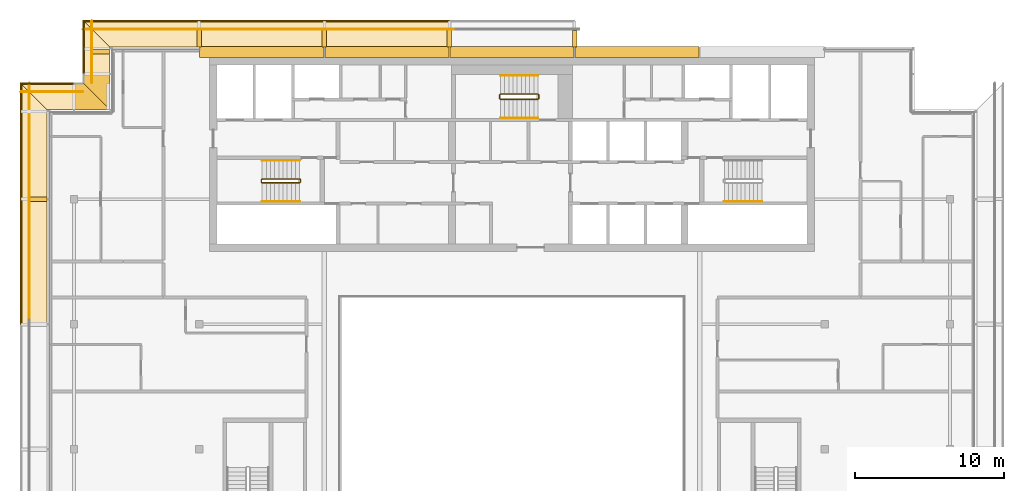
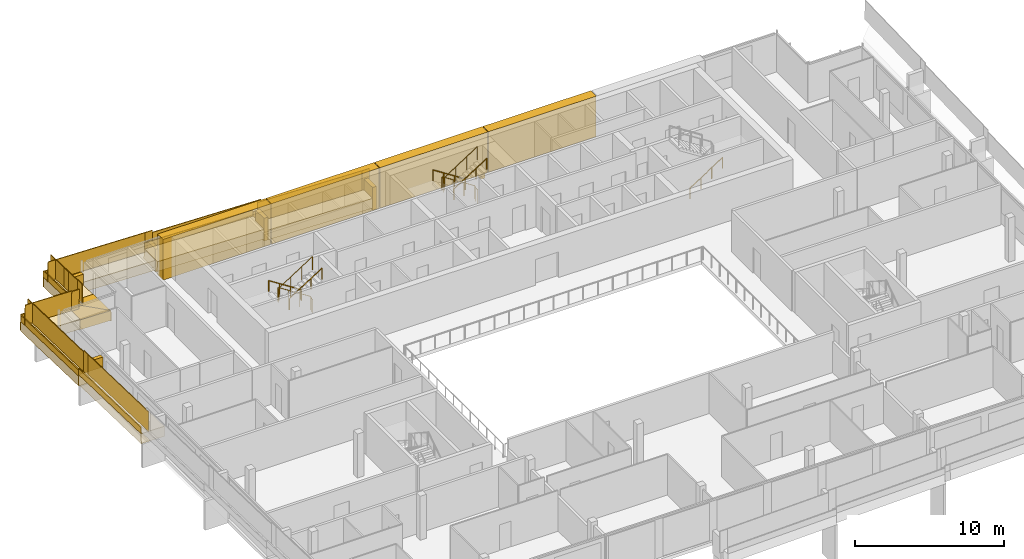
# One storey, part 24 of 26: 26 coverings, 21 railings.
"""IFC4 building model written with IfcOpenShell, lengths in metres."""

from ifc_helpers import new_model, si_unit, direction, frame, origin, origin_2d, place, context, subcontext, project, spatial, polyline, rectangle, circle, outline, extrude, material, layer, layer_set, type_object, element, save


model = new_model("IFC4")

# Units and contexts
model_context = context("Model", 3, precision=1e-05, world=origin(), true_north=direction((0.0, 1.0)))
body_context = subcontext(model_context, "Body", "Model", "MODEL_VIEW")
ifc_project = project(units=[si_unit("LENGTHUNIT", "METRE"), si_unit("AREAUNIT", "SQUARE_METRE"), si_unit("VOLUMEUNIT", "CUBIC_METRE"), si_unit("PLANEANGLEUNIT", "RADIAN"), si_unit("MASSUNIT", "GRAM", prefix="KILO")], contexts=[model_context])

# Site, building, storey
site_placement = place(None, origin())
site = spatial("IfcSite", under=ifc_project, at=site_placement, CompositionType="ELEMENT")
building_placement = place(site_placement, origin())
building = spatial("IfcBuilding", under=site, at=building_placement, Name="Saffron Gate Tower", CompositionType="ELEMENT")
storey_placement = place(building_placement, frame((0.0, 0.0, 277.949951171875)))
storey = spatial("IfcBuildingStorey", under=building, at=storey_placement, Name="L67", CompositionType="ELEMENT", Elevation=277.949951171875)

# Coverings
ifc_material_1 = material(Name="Ceramic-printed bronze insulated panel")
ifc_layer_1 = layer(ifc_material_1, 0.739990234375)
ifc_layer_set_1 = layer_set([ifc_layer_1], Name="CLD5 ceramic-printed cladding panel 740")
covering_type_1 = type_object("IfcCoveringType", Name="CLD5 ceramic-printed cladding panel 740", PredefinedType="CLADDING", material=ifc_layer_set_1)
covering_1_placement = place(storey_placement, origin())
element("IfcCovering", 1, at=covering_1_placement, inside=storey, type_object=covering_type_1, Name="CLADDING ceramic-printed panel", PredefinedType="CLADDING", context=body_context, shape_type="SweptSolid", body=[
    extrude(outline(polyline([(100.1650390625, 75.639892578125), (91.8349609375, 75.639892578125), (91.8349609375, 74.89990234375), (100.1650390625, 74.89990234375), (100.1650390625, 75.639892578125)])), origin(), (0.0, 0.0, 1.0), 3.320068359375),
])
covering_2_placement = place(storey_placement, origin())
element("IfcCovering", 2, at=covering_2_placement, inside=storey, type_object=covering_type_1, Name="CLADDING ceramic-printed panel", PredefinedType="CLADDING", context=body_context, shape_type="SweptSolid", body=[
    extrude(outline(polyline([(91.764892578125, 75.639892578125), (83.43505859375, 75.639892578125), (83.43505859375, 74.89990234375), (91.764892578125, 74.89990234375), (91.764892578125, 75.639892578125)])), origin(), (0.0, 0.0, 1.0), 3.320068359375),
])
covering_3_placement = place(storey_placement, origin())
element("IfcCovering", 3, at=covering_3_placement, inside=storey, type_object=covering_type_1, Name="CLADDING ceramic-printed panel", PredefinedType="CLADDING", context=body_context, shape_type="SweptSolid", body=[
    extrude(outline(polyline([(83.364990234375, 75.639892578125), (75.034912109375, 75.639892578125), (75.034912109375, 74.89990234375), (83.364990234375, 74.89990234375), (83.364990234375, 75.639892578125)])), origin(), (0.0, 0.0, 1.0), 3.320068359375),
])
covering_4_placement = place(storey_placement, origin())
element("IfcCovering", 4, at=covering_4_placement, inside=storey, type_object=covering_type_1, Name="CLADDING ceramic-printed panel", PredefinedType="CLADDING", context=body_context, shape_type="SweptSolid", body=[
    extrude(outline(polyline([(74.965087890625, 75.639892578125), (66.635009765625, 75.639892578125), (66.635009765625, 74.89990234375), (74.965087890625, 74.89990234375), (74.965087890625, 75.639892578125)])), origin(), (0.0, 0.0, 1.0), 3.320068359375),
])

# Railings
ifc_material_2 = material(Name="Stainless steel and laminated glass", Category="steel")
railing_type_1 = type_object("IfcRailingType", Name="CR1 Stair guard 1100", PredefinedType="GUARDRAIL", material=ifc_material_2)
railing_1_placement = place(storey_placement, frame((73.39990234375, 66.550048828125, 0.0)))
element("IfcRailing", 5, at=railing_1_placement, inside=storey, type_object=railing_type_1, Name="L67 ST-A stair guard 1", PredefinedType="GUARDRAIL", context=body_context, shape_type="SweptSolid", body=[
    extrude(circle(Radius=0.02392578125, at=origin_2d()), frame((0.0, 0.0, 1.076171875), z_axis=(0.0, 1.0, 0.0), x_axis=(-1.0, 0.0, 0.0)), (0.0, 0.0, 1.0), 0.14990234375),
    extrude(circle(Radius=0.02392578125, at=origin_2d()), frame((0.0, 0.14990234375, 1.076171875), z_axis=(-0.257669022063, 0.258932105505, 0.930892496375), x_axis=(-0.708833529934, -0.705375805398, 0.0)), (0.0, 0.0, 1.0), 0.193359375),
    extrude(circle(Radius=0.02392578125, at=origin_2d()), frame((-0.0498046875, 0.199951171875, 1.255859375), z_axis=(-0.841162588446, 0.0, 0.540782303519), x_axis=(0.0, -1.0, 0.0)), (0.0, 0.0, 1.0), 2.995849609375),
    extrude(circle(Radius=0.02392578125, at=origin_2d()), frame((-2.56982421875, 0.199951171875, 2.8759765625), z_axis=(-0.707106781187, -0.707106781187, 0.0), x_axis=(0.707106781187, -0.707106781187, 0.0)), (0.0, 0.0, 1.0), 0.07080078125),
    extrude(circle(Radius=0.02392578125, at=origin_2d()), frame((-2.619873046875, 0.14990234375, 2.8759765625), z_axis=(0.0, -1.0, 0.0), x_axis=(1.0, 0.0, 0.0)), (0.0, 0.0, 1.0), 0.14990234375),
    extrude(circle(Radius=0.02392578125, at=origin_2d()), frame((-2.619873046875, 0.0, 2.8759765625), z_axis=(0.258847668887, -0.258847668887, 0.930588936439), x_axis=(0.707106781187, 0.707106781187, 0.0)), (0.0, 0.0, 1.0), 0.193359375),
    extrude(circle(Radius=0.02392578125, at=origin_2d()), frame((-2.56982421875, -0.050048828125, 3.05615234375), z_axis=(0.841162588446, 0.0, 0.540782303519), x_axis=(0.0, 1.0, 0.0)), (0.0, 0.0, 1.0), 2.995849609375),
    extrude(circle(Radius=0.02099609375, at=origin_2d()), origin(), (0.0, 0.0, 1.0), 1.052001953125),
    extrude(circle(Radius=0.02099609375, at=origin_2d()), frame((0.0, 0.14990234375, 0.0)), (0.0, 0.0, 1.0), 1.052001953125),
    extrude(circle(Radius=0.02099609375, at=origin_2d()), frame((-0.0498046875, 0.199951171875, 0.179931640625)), (0.0, 0.0, 1.0), 1.052001953125),
    extrude(circle(Radius=0.02099609375, at=origin_2d()), frame((-0.889892578125, 0.199951171875, 0.719970703125)), (0.0, 0.0, 1.0), 1.052001953125),
    extrude(circle(Radius=0.02099609375, at=origin_2d()), frame((-1.729736328125, 0.199951171875, 1.260009765625)), (0.0, 0.0, 1.0), 1.052001953125),
    extrude(circle(Radius=0.02099609375, at=origin_2d()), frame((-2.56982421875, 0.199951171875, 1.800048828125)), (0.0, 0.0, 1.0), 1.052001953125),
    extrude(circle(Radius=0.02099609375, at=origin_2d()), frame((-2.619873046875, 0.14990234375, 1.800048828125)), (0.0, 0.0, 1.0), 1.052001953125),
    extrude(circle(Radius=0.02099609375, at=origin_2d()), frame((-2.619873046875, 0.0, 1.800048828125)), (0.0, 0.0, 1.0), 1.052001953125),
    extrude(circle(Radius=0.02099609375, at=origin_2d()), frame((-2.56982421875, -0.050048828125, 1.97998046875)), (0.0, 0.0, 1.0), 1.052001953125),
    extrude(circle(Radius=0.02099609375, at=origin_2d()), frame((-1.729736328125, -0.050048828125, 2.52001953125)), (0.0, 0.0, 1.0), 1.052001953125),
    extrude(circle(Radius=0.02099609375, at=origin_2d()), frame((-0.889892578125, -0.050048828125, 3.06005859375)), (0.0, 0.0, 1.0), 1.052001953125),
    extrude(circle(Radius=0.02099609375, at=origin_2d()), frame((-0.0498046875, -0.050048828125, 3.60009765625)), (0.0, 0.0, 1.0), 1.052001953125),
])
railing_2_placement = place(storey_placement, frame((89.39990234375, 72.14990234375, 0.0)))
element("IfcRailing", 6, at=railing_2_placement, inside=storey, type_object=railing_type_1, Name="L67 ST-C stair guard 1", PredefinedType="GUARDRAIL", context=body_context, shape_type="SweptSolid", body=[
    extrude(circle(Radius=0.02392578125, at=origin_2d()), frame((0.0, 0.0, 1.076171875), z_axis=(0.0, 1.0, 0.0), x_axis=(-1.0, 0.0, 0.0)), (0.0, 0.0, 1.0), 0.25),
    extrude(circle(Radius=0.02392578125, at=origin_2d()), frame((0.0, 0.25, 1.076171875), z_axis=(-0.257669022063, 0.258932105505, 0.930892496375), x_axis=(-0.708833529934, -0.705375805398, 0.0)), (0.0, 0.0, 1.0), 0.193359375),
    extrude(circle(Radius=0.02392578125, at=origin_2d()), frame((-0.0498046875, 0.300048828125, 1.255859375), z_axis=(-0.841162588446, 0.0, 0.540782303519), x_axis=(0.0, -1.0, 0.0)), (0.0, 0.0, 1.0), 2.995849609375),
    extrude(circle(Radius=0.02392578125, at=origin_2d()), frame((-2.56982421875, 0.300048828125, 2.8759765625), z_axis=(-0.707106781187, -0.707106781187, 0.0), x_axis=(0.707106781187, -0.707106781187, 0.0)), (0.0, 0.0, 1.0), 0.07080078125),
    extrude(circle(Radius=0.02392578125, at=origin_2d()), frame((-2.619873046875, 0.25, 2.8759765625), z_axis=(0.0, -1.0, 0.0), x_axis=(1.0, 0.0, 0.0)), (0.0, 0.0, 1.0), 0.25),
    extrude(circle(Radius=0.02392578125, at=origin_2d()), frame((-2.619873046875, 0.0, 2.8759765625), z_axis=(0.258932105505, -0.257669022063, 0.930892496375), x_axis=(0.705375805398, 0.708833529934, 0.0)), (0.0, 0.0, 1.0), 0.193359375),
    extrude(circle(Radius=0.02392578125, at=origin_2d()), frame((-2.56982421875, -0.0498046875, 3.05615234375), z_axis=(0.841162588446, 0.0, 0.540782303519), x_axis=(0.0, 1.0, 0.0)), (0.0, 0.0, 1.0), 2.995849609375),
    extrude(circle(Radius=0.02099609375, at=origin_2d()), origin(), (0.0, 0.0, 1.0), 1.052001953125),
    extrude(circle(Radius=0.02099609375, at=origin_2d()), frame((0.0, 0.25, 0.0)), (0.0, 0.0, 1.0), 1.052001953125),
    extrude(circle(Radius=0.02099609375, at=origin_2d()), frame((-0.0498046875, 0.300048828125, 0.179931640625)), (0.0, 0.0, 1.0), 1.052001953125),
    extrude(circle(Radius=0.02099609375, at=origin_2d()), frame((-0.889892578125, 0.300048828125, 0.719970703125)), (0.0, 0.0, 1.0), 1.052001953125),
    extrude(circle(Radius=0.02099609375, at=origin_2d()), frame((-1.729736328125, 0.300048828125, 1.260009765625)), (0.0, 0.0, 1.0), 1.052001953125),
    extrude(circle(Radius=0.02099609375, at=origin_2d()), frame((-2.56982421875, 0.300048828125, 1.800048828125)), (0.0, 0.0, 1.0), 1.052001953125),
    extrude(circle(Radius=0.02099609375, at=origin_2d()), frame((-2.619873046875, 0.25, 1.800048828125)), (0.0, 0.0, 1.0), 1.052001953125),
    extrude(circle(Radius=0.02099609375, at=origin_2d()), frame((-2.619873046875, 0.0, 1.800048828125)), (0.0, 0.0, 1.0), 1.052001953125),
    extrude(circle(Radius=0.02099609375, at=origin_2d()), frame((-2.56982421875, -0.0498046875, 1.97998046875)), (0.0, 0.0, 1.0), 1.052001953125),
    extrude(circle(Radius=0.02099609375, at=origin_2d()), frame((-1.729736328125, -0.0498046875, 2.52001953125)), (0.0, 0.0, 1.0), 1.052001953125),
    extrude(circle(Radius=0.02099609375, at=origin_2d()), frame((-0.889892578125, -0.0498046875, 3.06005859375)), (0.0, 0.0, 1.0), 1.052001953125),
    extrude(circle(Radius=0.02099609375, at=origin_2d()), frame((-0.0498046875, -0.0498046875, 3.60009765625)), (0.0, 0.0, 1.0), 1.052001953125),
])
ifc_material_3 = material(Name="Stainless steel", Category="steel")
railing_type_2 = type_object("IfcRailingType", Name="CR2 Stair handrail 900", PredefinedType="HANDRAIL", material=ifc_material_3)
railing_3_placement = place(storey_placement, frame((73.35009765625, 68.0, 0.179931640625)))
element("IfcRailing", 7, at=railing_3_placement, inside=storey, type_object=railing_type_2, Name="L67 ST-A stair handrail 1", PredefinedType="HANDRAIL", context=body_context, shape_type="SweptSolid", body=[
    extrude(circle(Radius=0.02392578125, at=origin_2d()), frame((0.0, 0.0, 0.8759765625), z_axis=(-0.841162588446, 0.0, 0.540782303519), x_axis=(0.0, -1.0, 0.0)), (0.0, 0.0, 1.0), 2.995849609375),
    extrude(circle(Radius=0.02099609375, at=origin_2d()), origin(), (0.0, 0.0, 1.0), 0.851806640625),
    extrude(circle(Radius=0.02099609375, at=origin_2d()), frame((-0.840087890625, 0.0, 0.5400390625)), (0.0, 0.0, 1.0), 0.851806640625),
    extrude(circle(Radius=0.02099609375, at=origin_2d()), frame((-1.679931640625, 0.0, 1.080078125)), (0.0, 0.0, 1.0), 0.851806640625),
    extrude(circle(Radius=0.02099609375, at=origin_2d()), frame((-2.52001953125, 0.0, 1.6201171875)), (0.0, 0.0, 1.0), 0.851806640625),
])
for number, where, name in (
    (8, (70.830078125, 65.25, 1.97998046875), "L67 ST-A stair handrail 2"),
    (9, (101.85009765625, 65.25, 0.179931640625), "L67 ST-B stair handrail 1"),
):
    element("IfcRailing", number, at=place(storey_placement, frame(where)), inside=storey, type_object=railing_type_2, Name=name, PredefinedType="HANDRAIL", context=body_context, shape_type="SweptSolid", body=[
        extrude(circle(Radius=0.02392578125, at=origin_2d()), frame((0.0, 0.0, 0.8759765625), z_axis=(0.841162588446, 0.0, 0.540782303519), x_axis=(0.0, 1.0, 0.0)), (0.0, 0.0, 1.0), 2.995849609375),
        extrude(circle(Radius=0.02099609375, at=origin_2d()), origin(), (0.0, 0.0, 1.0), 0.851806640625),
        extrude(circle(Radius=0.02099609375, at=origin_2d()), frame((0.840087890625, 0.0, 0.5400390625)), (0.0, 0.0, 1.0), 0.851806640625),
        extrude(circle(Radius=0.02099609375, at=origin_2d()), frame((1.679931640625, 0.0, 1.080078125)), (0.0, 0.0, 1.0), 0.851806640625),
        extrude(circle(Radius=0.02099609375, at=origin_2d()), frame((2.52001953125, 0.0, 1.6201171875)), (0.0, 0.0, 1.0), 0.851806640625),
    ])
railing_4_placement = place(storey_placement, frame((89.35009765625, 73.699951171875, 0.179931640625)))
element("IfcRailing", 10, at=railing_4_placement, inside=storey, type_object=railing_type_2, Name="L67 ST-C stair handrail 1", PredefinedType="HANDRAIL", context=body_context, shape_type="SweptSolid", body=[
    extrude(circle(Radius=0.02392578125, at=origin_2d()), frame((0.0, 0.0, 0.8759765625), z_axis=(-0.841162588446, 0.0, 0.540782303519), x_axis=(0.0, -1.0, 0.0)), (0.0, 0.0, 1.0), 2.995849609375),
    extrude(circle(Radius=0.02099609375, at=origin_2d()), origin(), (0.0, 0.0, 1.0), 0.851806640625),
    extrude(circle(Radius=0.02099609375, at=origin_2d()), frame((-0.840087890625, 0.0, 0.5400390625)), (0.0, 0.0, 1.0), 0.851806640625),
    extrude(circle(Radius=0.02099609375, at=origin_2d()), frame((-1.679931640625, 0.0, 1.080078125)), (0.0, 0.0, 1.0), 0.851806640625),
    extrude(circle(Radius=0.02099609375, at=origin_2d()), frame((-2.52001953125, 0.0, 1.6201171875)), (0.0, 0.0, 1.0), 0.851806640625),
])
railing_5_placement = place(storey_placement, frame((86.830078125, 70.85009765625, 1.97998046875)))
element("IfcRailing", 11, at=railing_5_placement, inside=storey, type_object=railing_type_2, Name="L67 ST-C stair handrail 2", PredefinedType="HANDRAIL", context=body_context, shape_type="SweptSolid", body=[
    extrude(circle(Radius=0.02392578125, at=origin_2d()), frame((0.0, 0.0, 0.8759765625), z_axis=(0.841162588446, 0.0, 0.540782303519), x_axis=(0.0, 1.0, 0.0)), (0.0, 0.0, 1.0), 2.995849609375),
    extrude(circle(Radius=0.02099609375, at=origin_2d()), origin(), (0.0, 0.0, 1.0), 0.851806640625),
    extrude(circle(Radius=0.02099609375, at=origin_2d()), frame((0.840087890625, 0.0, 0.5400390625)), (0.0, 0.0, 1.0), 0.851806640625),
    extrude(circle(Radius=0.02099609375, at=origin_2d()), frame((1.679931640625, 0.0, 1.080078125)), (0.0, 0.0, 1.0), 0.851806640625),
    extrude(circle(Radius=0.02099609375, at=origin_2d()), frame((2.52001953125, 0.0, 1.6201171875)), (0.0, 0.0, 1.0), 0.851806640625),
])

# Coverings
ifc_material_4 = material(Name="Timber, thermally modified ash", Category="wood")
ifc_layer_2 = layer(ifc_material_4, 0.800048828125)
ifc_layer_set_2 = layer_set([ifc_layer_2], Name="LD1 ledge timber")
covering_type_2 = type_object("IfcCoveringType", Name="LD1 ledge timber", PredefinedType="CLADDING", material=ifc_layer_set_2)
for number, where, z_axis, x_axis, name in (
    (12, (83.39990234375, 75.60009765625, 0.439697265625), (0.028791175352, 0.0, 0.999585448184), (-0.999585448184, 0.0, 0.028791175352), "LEDGE"),
    (13, (75.0, 75.60009765625, 0.846435546875), (0.028791175352, 0.0, 0.999585448184), (-0.999585448184, 0.0, 0.028791175352), "LEDGE"),
):
    element("IfcCovering", number, at=place(storey_placement, frame(where, z_axis=z_axis, x_axis=x_axis)), inside=storey, type_object=covering_type_2, Name=name, PredefinedType="CLADDING", context=body_context, shape_type="SweptSolid", body=[
        extrude(outline(polyline([(0.0, 0.0), (8.403385982666892, 0.0), (8.403385982666892, -1.7998046875), (0.0, -1.7998046875), (0.0, 0.0)])), origin(), (0.0, 0.0, -1.0), 0.800048828125),
    ])
covering_5_placement = place(storey_placement, frame((66.60009765625, 75.60009765625, 1.253173828125), z_axis=(0.028789477025, 2.3920834e-05, 0.999585496814), x_axis=(-0.9995854971, -1.72e-10, 0.028789477033)))
element("IfcCovering", 14, at=covering_5_placement, inside=storey, type_object=covering_type_2, Name="LEDGE", PredefinedType="CLADDING", context=body_context, shape_type="SweptSolid", body=[
    extrude(outline(polyline([(0.0, 0.0), (6.002489288687248, 8.470329472543003e-22), (7.80328207139786, -1.7998046893537554), (-3.087962377470193e-10, -1.7998046869850703), (0.0, 0.0)])), origin(), (0.0, 0.0, -1.0), 0.800048828125),
])
covering_6_placement = place(storey_placement, frame((60.60009765625, 75.60009765625, 1.54345703125), z_axis=(4.3887651e-05, 0.028833291474, 0.999584233257), x_axis=(-1.925e-09, -0.99958423422, 0.028833291502)))
element("IfcCovering", 15, at=covering_6_placement, inside=storey, type_object=covering_type_2, Name="LEDGE", PredefinedType="CLADDING", context=body_context, shape_type="SweptSolid", body=[
    extrude(outline(polyline([(0.0, 0.0), (1.8007998168930421, 4.235164736271502e-22), (1.8007998203587168, -1.8000488263914396), (-1.8005487349298768, -1.8000488367923182), (0.0, 0.0)])), origin(), (0.0, 0.0, -1.0), 0.800048828125),
])
covering_7_placement = place(storey_placement, frame((60.60009765625, 73.800048828125, 1.630615234375), z_axis=(-7.83279e-07, 0.028875577331, 0.999583013578), x_axis=(0.0, -0.999583013578, 0.028875577331)))
element("IfcCovering", 16, at=covering_7_placement, inside=storey, type_object=covering_type_2, Name="LEDGE", PredefinedType="CLADDING", context=body_context, shape_type="SweptSolid", body=[
    extrude(outline(polyline([(0.0, 0.0), (2.4011477711054536, -6.617444900424222e-24), (0.6003479524809541, -1.8000488281258282), (-8.279089157693734e-13, -1.8000488281244476), (0.0, 0.0)])), origin(), (0.0, 0.0, -1.0), 0.800048828125),
])
covering_8_placement = place(storey_placement, frame((60.60009765625, 71.39990234375, 1.746826171875), z_axis=(0.028875577331, -7.83279e-07, 0.999583013578), x_axis=(-0.999583013578, 0.0, 0.028875577331)))
element("IfcCovering", 17, at=covering_8_placement, inside=storey, type_object=covering_type_2, Name="LEDGE", PredefinedType="CLADDING", context=body_context, shape_type="SweptSolid", body=[
    extrude(outline(polyline([(0.0, 0.0), (2.4011477711054536, 6.617444900424222e-24), (2.4011477711062814, -1.8000488281244476), (1.8007998186244996, -1.800048828125828), (0.0, 0.0)])), origin(), (0.0, 0.0, -1.0), 0.800048828125),
])
covering_9_placement = place(storey_placement, frame((58.199951171875, 71.39990234375, 1.863037109375), z_axis=(0.028833291474, 4.3887651e-05, 0.999584233257), x_axis=(-0.99958423422, -1.925e-09, 0.028833291502)))
element("IfcCovering", 18, at=covering_9_placement, inside=storey, type_object=covering_type_2, Name="LEDGE", PredefinedType="CLADDING", context=body_context, shape_type="SweptSolid", body=[
    extrude(outline(polyline([(0.0, 0.0), (1.8007998168930421, -4.235164736271502e-22), (3.6013485518229187, -1.800048836792318), (-3.4656747156665518e-09, -1.8000488263914396), (0.0, 0.0)])), origin(), (0.0, 0.0, -1.0), 0.800048828125),
])
covering_10_placement = place(storey_placement, frame((56.39990234375, 71.39990234375, 1.9501953125), z_axis=(2.3920834e-05, 0.028789477025, 0.999585496814), x_axis=(-1.72e-10, -0.9995854971, 0.028789477033)))
element("IfcCovering", 19, at=covering_10_placement, inside=storey, type_object=covering_type_2, Name="LEDGE", PredefinedType="CLADDING", context=body_context, shape_type="SweptSolid", body=[
    extrude(outline(polyline([(0.0, 0.0), (6.002489288687248, -8.470329472543003e-22), (6.002489288996045, -1.7998046869850703), (-1.800792782710612, -1.7998046893537554), (0.0, 0.0)])), origin(), (0.0, 0.0, -1.0), 0.800048828125),
])
covering_11_placement = place(storey_placement, frame((56.39990234375, 65.39990234375, 2.24072265625), z_axis=(0.0, 0.028791175352, 0.999585448184), x_axis=(0.0, -0.999585448184, 0.028791175352)))
element("IfcCovering", 20, at=covering_11_placement, inside=storey, type_object=covering_type_2, Name="LEDGE", PredefinedType="CLADDING", context=body_context, shape_type="SweptSolid", body=[
    extrude(outline(polyline([(0.0, 0.0), (8.403385982666892, 0.0), (8.403385982666892, -1.7998046875), (0.0, -1.7998046875), (0.0, 0.0)])), origin(), (0.0, 0.0, -1.0), 0.800048828125),
])
ifc_layer_3 = layer(ifc_material_4, 0.080078125)
ifc_layer_set_3 = layer_set([ifc_layer_3], Name="LD2 ledge planter trough")
covering_type_3 = type_object("IfcCoveringType", Name="LD2 ledge planter trough", PredefinedType="CLADDING", material=ifc_layer_set_3)
for number, where, z_axis, x_axis, name in (
    (21, (83.39990234375, 77.39990234375, 0.439697265625), (0.0, 1.0, 0.0), (-0.999585448184, 0.0, 0.028791175352), "LEDGE planter trough"),
    (22, (75.0, 77.39990234375, 0.846435546875), (0.0, 1.0, 0.0), (-0.999585448184, 0.0, 0.028791175352), "LEDGE planter trough"),
):
    element("IfcCovering", number, at=place(storey_placement, frame(where, z_axis=z_axis, x_axis=x_axis)), inside=storey, type_object=covering_type_3, Name=name, PredefinedType="CLADDING", context=body_context, shape_type="SweptSolid", body=[
        extrude(outline(polyline([(0.0, 0.0), (8.403385982666892, 0.0), (8.417781570342743, 0.49979272409216496), (0.014395587675851172, 0.4997927240921649), (0.0, 0.0)])), origin(), (0.0, 0.0, -1.0), 0.080078125),
    ])
covering_12_placement = place(storey_placement, frame((66.60009765625, 77.39990234375, 1.253173828125), z_axis=(0.0, 1.0, 0.0), x_axis=(-0.999585655924, 0.0, 0.028783962047)))
element("IfcCovering", 23, at=covering_12_placement, inside=storey, type_object=covering_type_3, Name="LEDGE planter trough", PredefinedType="CLADDING", context=body_context, shape_type="SweptSolid", body=[
    extrude(outline(polyline([(0.0, 0.0), (7.803282071825423, 2.7755575615628914e-17), (7.817674052849086, 0.4997928279619612), (0.014391981023662846, 0.4997928279619612), (0.0, 0.0)])), origin(), (0.0, 0.0, -1.0), 0.080078125),
])
for number, where, z_axis, x_axis, name in (
    (24, (58.800048828125, 77.39990234375, 1.49169921875), (-1.0, 0.0, 0.0), (0.0, -0.999584866472, 0.028811364412), "LEDGE planter trough"),
    (25, (58.199951171875, 73.199951171875, 1.863037109375), (0.0, 1.0, 0.0), (-0.999584866472, 0.0, 0.028811364412), "LEDGE planter trough"),
):
    element("IfcCovering", number, at=place(storey_placement, frame(where, z_axis=z_axis, x_axis=x_axis)), inside=storey, type_object=covering_type_3, Name=name, PredefinedType="CLADDING", context=body_context, shape_type="SweptSolid", body=[
        extrude(outline(polyline([(0.0, 0.0), (3.601348556155073, 0.0), (3.6157542383609322, 0.49979243323622236), (0.01440568220585924, 0.49979243323622236), (0.0, 0.0)])), origin(), (0.0, 0.0, -1.0), 0.080078125),
    ])
covering_13_placement = place(storey_placement, frame((54.60009765625, 73.199951171875, 1.8984375), z_axis=(-1.0, 0.0, 0.0), x_axis=(0.0, -0.999585655924, 0.028783962047)))
element("IfcCovering", 26, at=covering_13_placement, inside=storey, type_object=covering_type_3, Name="LEDGE planter trough", PredefinedType="CLADDING", context=body_context, shape_type="SweptSolid", body=[
    extrude(outline(polyline([(0.0, 0.0), (7.803282071825423, 2.7755575615628914e-17), (7.817674052849086, 0.4997928279619612), (0.014391981023662846, 0.4997928279619612), (0.0, 0.0)])), origin(), (0.0, 0.0, -1.0), 0.080078125),
])
covering_14_placement = place(storey_placement, frame((54.60009765625, 65.39990234375, 2.24072265625), z_axis=(-1.0, 0.0, 0.0), x_axis=(0.0, -0.999585448184, 0.028791175352)))
element("IfcCovering", 27, at=covering_14_placement, inside=storey, type_object=covering_type_3, Name="LEDGE planter trough", PredefinedType="CLADDING", context=body_context, shape_type="SweptSolid", body=[
    extrude(outline(polyline([(0.0, 0.0), (8.403385982666892, 0.0), (8.417781570342743, 0.49979272409216496), (0.014395587675851172, 0.4997927240921649), (0.0, 0.0)])), origin(), (0.0, 0.0, -1.0), 0.080078125),
])
ifc_layer_4 = layer(ifc_material_4, 0.300048828125)
ifc_layer_set_4 = layer_set([ifc_layer_4], Name="LD3 ledge riser fin")
covering_type_4 = type_object("IfcCoveringType", Name="LD3 ledge riser fin", PredefinedType="CLADDING", material=ifc_layer_set_4)
for number, where, z_axis, x_axis, name in (
    (28, (91.800048828125, 76.159912109375, -0.931884765625), (0.0, 0.0, 1.0), (-1.0, 0.0, 0.0), "LEDGE riser fin"),
    (29, (83.39990234375, 76.159912109375, -0.525146484375), (0.0, 0.0, 1.0), (-1.0, 0.0, 0.0), "LEDGE riser fin"),
    (30, (75.0, 76.159912109375, -0.118408203125), (0.0, 0.0, 1.0), (-1.0, 0.0, 0.0), "LEDGE riser fin"),
    (31, (66.60009765625, 76.159912109375, 0.288330078125), (0.0, 0.0, 1.0), (-1.0, 0.0, 0.0), "LEDGE riser fin"),
):
    element("IfcCovering", number, at=place(storey_placement, frame(where, z_axis=z_axis, x_axis=x_axis)), inside=storey, type_object=covering_type_4, Name=name, PredefinedType="CLADDING", context=body_context, shape_type="SweptSolid", body=[
        extrude(rectangle(XDim=0.300048828125, YDim=1.1201171875, at=origin_2d()), origin(), (0.0, 0.0, 1.0), 1.86474609375),
    ])
for number, where, z_axis, x_axis, name in (
    (32, (60.0400390625, 75.300048828125, 0.6259765625), (0.0, 0.0, 1.0), (0.0, -1.0, 0.0), "LEDGE riser fin"),
    (33, (55.840087890625, 65.39990234375, 1.3232421875), (0.0, 0.0, 1.0), (0.0, -1.0, 0.0), "LEDGE riser fin"),
):
    element("IfcCovering", number, at=place(storey_placement, frame(where, z_axis=z_axis, x_axis=x_axis)), inside=storey, type_object=covering_type_4, Name=name, PredefinedType="CLADDING", context=body_context, shape_type="SweptSolid", body=[
        extrude(rectangle(XDim=0.300048828125, YDim=1.1201171875, at=origin_2d()), origin(), (0.0, 0.0, 1.0), 1.817626953125),
    ])

# Railings
railing_type_3 = type_object("IfcRailingType", Name="LG1 ledge balustrade", PredefinedType="BALUSTRADE", material=ifc_material_4)
railing_6_placement = place(storey_placement, frame((83.39990234375, 76.800048828125, 0.439697265625)))
element("IfcRailing", 34, at=railing_6_placement, inside=storey, type_object=railing_type_3, Name="LEDGE BALUSTRADE", PredefinedType="BALUSTRADE", context=body_context, shape_type="SweptSolid", body=[
    extrude(rectangle(XDim=0.06005859375, YDim=1.60009765625, at=origin_2d()), frame((0.0, 0.0, 0.800048828125), z_axis=(-0.999585448184, 0.0, 0.028791175352), x_axis=(0.0, -1.0, 0.0)), (0.0, 0.0, 1.0), 8.4033203125),
])
railing_7_placement = place(storey_placement, frame((83.699951171875, 76.800048828125, 0.27490234375)))
element("IfcRailing", 35, at=railing_7_placement, inside=storey, type_object=railing_type_3, Name="LEDGE BALUSTRADE", PredefinedType="BALUSTRADE", context=body_context, shape_type="SweptSolid", body=[
    extrude(rectangle(XDim=0.06005859375, YDim=1.7646484375, at=origin_2d()), frame((0.0, 0.0, 0.88232421875), z_axis=(-1.0, 0.0, 0.0), x_axis=(0.0, -1.0, 0.0)), (0.0, 0.0, 1.0), 0.599853515625),
])
railing_8_placement = place(storey_placement, frame((75.0, 76.800048828125, 0.846435546875)))
element("IfcRailing", 36, at=railing_8_placement, inside=storey, type_object=railing_type_3, Name="LEDGE BALUSTRADE", PredefinedType="BALUSTRADE", context=body_context, shape_type="SweptSolid", body=[
    extrude(rectangle(XDim=0.06005859375, YDim=1.60009765625, at=origin_2d()), frame((0.0, 0.0, 0.800048828125), z_axis=(-0.999585448184, 0.0, 0.028791175352), x_axis=(0.0, -1.0, 0.0)), (0.0, 0.0, 1.0), 8.4033203125),
])
railing_9_placement = place(storey_placement, frame((75.300048828125, 76.800048828125, 0.681640625)))
element("IfcRailing", 37, at=railing_9_placement, inside=storey, type_object=railing_type_3, Name="LEDGE BALUSTRADE", PredefinedType="BALUSTRADE", context=body_context, shape_type="SweptSolid", body=[
    extrude(rectangle(XDim=0.06005859375, YDim=1.7646484375, at=origin_2d()), frame((0.0, 0.0, 0.88232421875), z_axis=(-1.0, 0.0, 0.0), x_axis=(0.0, -1.0, 0.0)), (0.0, 0.0, 1.0), 0.60009765625),
])
railing_10_placement = place(storey_placement, frame((66.60009765625, 76.800048828125, 1.253173828125)))
element("IfcRailing", 38, at=railing_10_placement, inside=storey, type_object=railing_type_3, Name="LEDGE BALUSTRADE", PredefinedType="BALUSTRADE", context=body_context, shape_type="SweptSolid", body=[
    extrude(rectangle(XDim=0.06005859375, YDim=1.60009765625, at=origin_2d()), frame((0.0, 0.0, 0.800048828125), z_axis=(-0.999585655924, 0.0, 0.028783962047), x_axis=(0.0, -1.0, 0.0)), (0.0, 0.0, 1.0), 7.80322265625),
])
railing_11_placement = place(storey_placement, frame((66.89990234375, 76.800048828125, 1.08837890625)))
element("IfcRailing", 39, at=railing_11_placement, inside=storey, type_object=railing_type_3, Name="LEDGE BALUSTRADE", PredefinedType="BALUSTRADE", context=body_context, shape_type="SweptSolid", body=[
    extrude(rectangle(XDim=0.06005859375, YDim=1.7646484375, at=origin_2d()), frame((0.0, 0.0, 0.88232421875), z_axis=(-1.0, 0.0, 0.0), x_axis=(0.0, -1.0, 0.0)), (0.0, 0.0, 1.0), 0.599853515625),
])
railing_12_placement = place(storey_placement, frame((59.39990234375, 77.39990234375, 1.49169921875)))
element("IfcRailing", 40, at=railing_12_placement, inside=storey, type_object=railing_type_3, Name="LEDGE BALUSTRADE", PredefinedType="BALUSTRADE", context=body_context, shape_type="SweptSolid", body=[
    extrude(rectangle(XDim=0.06005859375, YDim=1.60009765625, at=origin_2d()), frame((0.0, 0.0, 0.800048828125), z_axis=(0.0, -0.999584866472, 0.028811364412), x_axis=(1.0, 0.0, 0.0)), (0.0, 0.0, 1.0), 3.601318359375),
])
railing_13_placement = place(storey_placement, frame((59.39990234375, 75.60009765625, 1.426025390625)))
element("IfcRailing", 41, at=railing_13_placement, inside=storey, type_object=railing_type_3, Name="LEDGE BALUSTRADE", PredefinedType="BALUSTRADE", context=body_context, shape_type="SweptSolid", body=[
    extrude(rectangle(XDim=0.06005859375, YDim=1.7177734375, at=origin_2d()), frame((0.0, 0.0, 0.85888671875), z_axis=(0.0, -1.0, 0.0), x_axis=(1.0, 0.0, 0.0)), (0.0, 0.0, 1.0), 0.60009765625),
])
railing_14_placement = place(storey_placement, frame((59.39990234375, 73.800048828125, 1.630615234375)))
element("IfcRailing", 42, at=railing_14_placement, inside=storey, type_object=railing_type_3, Name="LEDGE BALUSTRADE", PredefinedType="BALUSTRADE", context=body_context, shape_type="SweptSolid", body=[
    extrude(rectangle(XDim=0.06005859375, YDim=1.60009765625, at=origin_2d()), frame((0.0, 0.0, 0.800048828125), z_axis=(0.0, -0.999583081391, 0.028873229772), x_axis=(1.0, 0.0, 0.0)), (0.0, 0.0, 1.0), 0.600341796875),
])
railing_15_placement = place(storey_placement, frame((58.800048828125, 72.60009765625, 1.798828125)))
element("IfcRailing", 43, at=railing_15_placement, inside=storey, type_object=railing_type_3, Name="LEDGE BALUSTRADE", PredefinedType="BALUSTRADE", context=body_context, shape_type="SweptSolid", body=[
    extrude(rectangle(XDim=0.06005859375, YDim=1.60009765625, at=origin_2d()), frame((0.0, 0.0, 0.800048828125), z_axis=(-0.999583081391, 0.0, 0.028873229772), x_axis=(0.0, -1.0, 0.0)), (0.0, 0.0, 1.0), 0.600341796875),
])
railing_16_placement = place(storey_placement, frame((58.199951171875, 72.60009765625, 1.863037109375)))
element("IfcRailing", 44, at=railing_16_placement, inside=storey, type_object=railing_type_3, Name="LEDGE BALUSTRADE", PredefinedType="BALUSTRADE", context=body_context, shape_type="SweptSolid", body=[
    extrude(rectangle(XDim=0.06005859375, YDim=1.60009765625, at=origin_2d()), frame((0.0, 0.0, 0.800048828125), z_axis=(-0.999584866472, 0.0, 0.028811364412), x_axis=(0.0, -1.0, 0.0)), (0.0, 0.0, 1.0), 3.601318359375),
])
railing_17_placement = place(storey_placement, frame((55.199951171875, 73.199951171875, 1.8984375)))
element("IfcRailing", 45, at=railing_17_placement, inside=storey, type_object=railing_type_3, Name="LEDGE BALUSTRADE", PredefinedType="BALUSTRADE", context=body_context, shape_type="SweptSolid", body=[
    extrude(rectangle(XDim=0.06005859375, YDim=1.60009765625, at=origin_2d()), frame((0.0, 0.0, 0.800048828125), z_axis=(0.0, -0.999585655924, 0.028783962047), x_axis=(1.0, 0.0, 0.0)), (0.0, 0.0, 1.0), 7.80322265625),
])
railing_18_placement = place(storey_placement, frame((55.199951171875, 65.39990234375, 2.24072265625)))
element("IfcRailing", 46, at=railing_18_placement, inside=storey, type_object=railing_type_3, Name="LEDGE BALUSTRADE", PredefinedType="BALUSTRADE", context=body_context, shape_type="SweptSolid", body=[
    extrude(rectangle(XDim=0.06005859375, YDim=1.60009765625, at=origin_2d()), frame((0.0, 0.0, 0.800048828125), z_axis=(0.0, -0.999585448184, 0.028791175352), x_axis=(1.0, 0.0, 0.0)), (0.0, 0.0, 1.0), 8.4033203125),
])
railing_19_placement = place(storey_placement, frame((55.199951171875, 65.699951171875, 2.123046875)))
element("IfcRailing", 47, at=railing_19_placement, inside=storey, type_object=railing_type_3, Name="LEDGE BALUSTRADE", PredefinedType="BALUSTRADE", context=body_context, shape_type="SweptSolid", body=[
    extrude(rectangle(XDim=0.06005859375, YDim=1.7177734375, at=origin_2d()), frame((0.0, 0.0, 0.85888671875), z_axis=(0.0, -1.0, 0.0), x_axis=(1.0, 0.0, 0.0)), (0.0, 0.0, 1.0), 0.599853515625),
])

save(model, "model.ifc")
